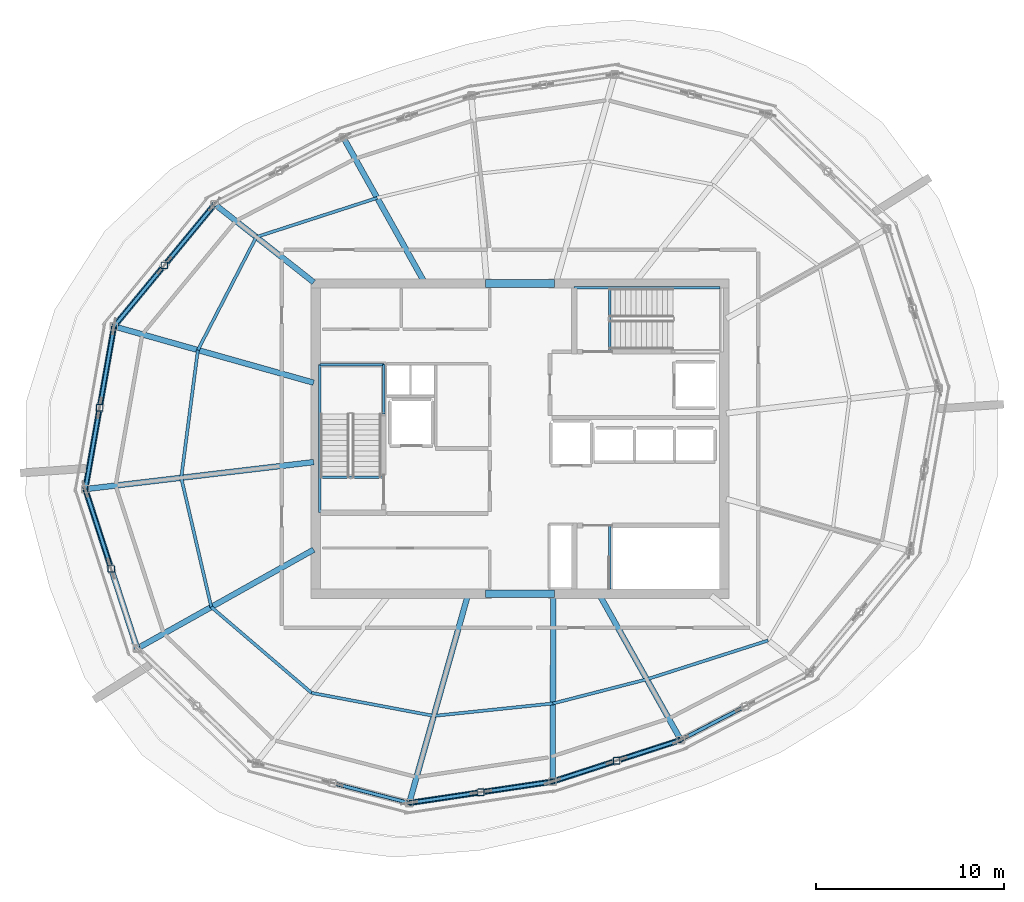
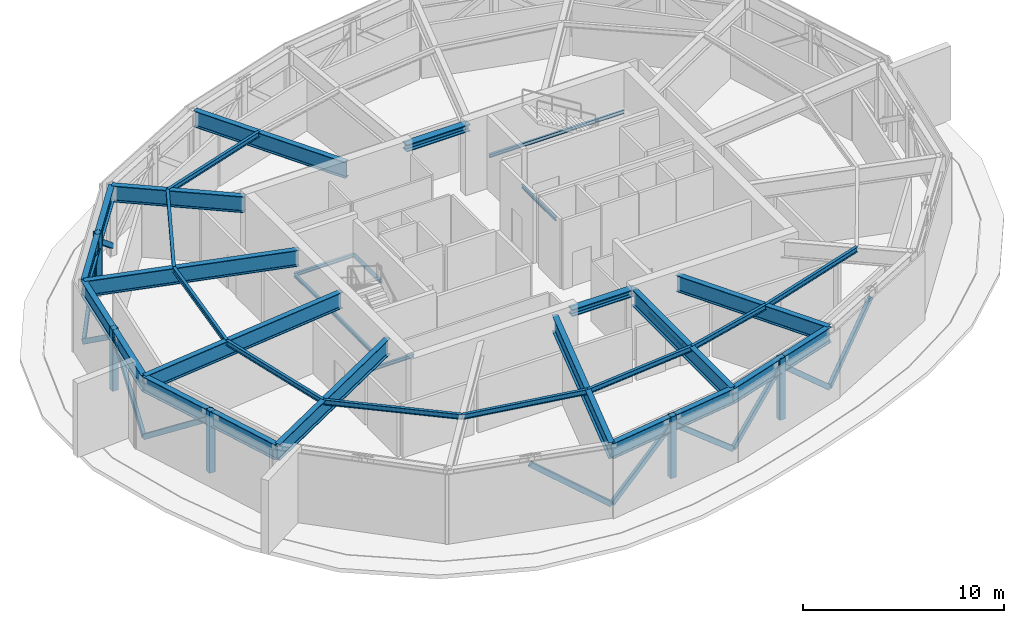
# One storey, part 5 of 14: 31 beams, 16 members.
"""IFC4 building model written with IfcOpenShell, lengths in metres."""

from ifc_helpers import new_model, si_unit, direction, frame, origin, origin_2d, place, context, subcontext, project, spatial, hollow_rectangle, i_section, extrude, material, material_profile, profile_set, type_object, element, save


model = new_model("IFC4")

# Units and contexts
model_context = context("Model", 3, precision=1e-05, world=origin(), true_north=direction((0.0, 1.0)))
body_context = subcontext(model_context, "Body", "Model", "MODEL_VIEW")
ifc_project = project(units=[si_unit("LENGTHUNIT", "METRE"), si_unit("AREAUNIT", "SQUARE_METRE"), si_unit("VOLUMEUNIT", "CUBIC_METRE"), si_unit("PLANEANGLEUNIT", "RADIAN"), si_unit("MASSUNIT", "GRAM", prefix="KILO")], contexts=[model_context])

# Site, building, storey
site_placement = place(None, origin())
site = spatial("IfcSite", under=ifc_project, at=site_placement, CompositionType="ELEMENT")
building_placement = place(site_placement, origin())
building = spatial("IfcBuilding", under=site, at=building_placement, Name="Kazma Halo Residences", CompositionType="ELEMENT")
storey_placement = place(building_placement, frame((0.0, 0.0, 351.5)))
storey = spatial("IfcBuildingStorey", under=building, at=storey_placement, Name="L88", CompositionType="ELEMENT", Elevation=351.5)

# Beams
ifc_material = material(Name="Steel S355", Category="steel")
ifc_material_profile_1 = material_profile(ifc_material, i_section(OverallWidth=0.30908203125, OverallDepth=0.931884765625, WebThickness=0.02099609375, FlangeThickness=0.034423828125, FilletRadius=0.02392578125, at=origin_2d()), Name="W920x313")
ifc_profile_set_1 = profile_set([ifc_material_profile_1], Name="Steel S355")
beam_type_1 = type_object("IfcBeamType", Name="BM-BELT-W920A", PredefinedType="BEAM", material=ifc_profile_set_1)
beam_1_placement = place(storey_placement, frame((32.184814453125, 54.467529296875, 3.75390625), z_axis=(-0.636005014199, -0.77168492399, 0.0), x_axis=(0.77168492399, -0.636005014199, 0.0)))
element("IfcBeam", 1, at=beam_1_placement, inside=storey, type_object=beam_type_1, Name="L88 perimeter ring beam 06", PredefinedType="BEAM", context=body_context, shape_type="SweptSolid", body=[
    extrude(i_section(OverallWidth=0.30908203125, OverallDepth=0.931884765625, WebThickness=0.02099609375, FlangeThickness=0.034423828125, FilletRadius=0.02392578125, at=origin_2d()), origin(), (0.0, 0.0, 1.0), 8.41943359375),
])
beam_2_placement = place(storey_placement, frame((26.830078125, 47.970458984375, 3.75390625), z_axis=(-0.173642734291, -0.984808712811, 0.0), x_axis=(0.984808712811, -0.173642734291, 0.0)))
element("IfcBeam", 2, at=beam_2_placement, inside=storey, type_object=beam_type_1, Name="L88 perimeter ring beam 07", PredefinedType="BEAM", context=body_context, shape_type="SweptSolid", body=[
    extrude(i_section(OverallWidth=0.30908203125, OverallDepth=0.931884765625, WebThickness=0.02099609375, FlangeThickness=0.034423828125, FilletRadius=0.02392578125, at=origin_2d()), origin(), (0.0, 0.0, 1.0), 8.790283203125),
])
beam_3_placement = place(storey_placement, frame((25.3037109375, 39.313720703125, 3.75390625), z_axis=(0.309015498459, -0.951057002346, 0.0), x_axis=(0.951057002346, 0.309015498459, 0.0)))
element("IfcBeam", 3, at=beam_3_placement, inside=storey, type_object=beam_type_1, Name="L88 perimeter ring beam 08", PredefinedType="BEAM", context=body_context, shape_type="SweptSolid", body=[
    extrude(i_section(OverallWidth=0.30908203125, OverallDepth=0.931884765625, WebThickness=0.02099609375, FlangeThickness=0.034423828125, FilletRadius=0.02392578125, at=origin_2d()), origin(), (0.0, 0.0, 1.0), 8.91748046875),
])
beam_4_placement = place(storey_placement, frame((42.53369140625, 22.61767578125, 3.75390625), z_axis=(0.989034152337, 0.147686984904, 0.0), x_axis=(-0.147686984904, 0.989034152337, 0.0)))
element("IfcBeam", 4, at=beam_4_placement, inside=storey, type_object=beam_type_1, Name="L88 perimeter ring beam 11", PredefinedType="BEAM", context=body_context, shape_type="SweptSolid", body=[
    extrude(i_section(OverallWidth=0.30908203125, OverallDepth=0.931884765625, WebThickness=0.02099609375, FlangeThickness=0.034423828125, FilletRadius=0.02392578125, at=origin_2d()), origin(), (0.0, 0.0, 1.0), 7.7099609375),
])
beam_5_placement = place(storey_placement, frame((50.1591796875, 23.75634765625, 3.75390625), z_axis=(0.951067102, 0.308984413026, 0.0), x_axis=(-0.308984413026, 0.951067102, 0.0)))
element("IfcBeam", 5, at=beam_5_placement, inside=storey, type_object=beam_type_1, Name="L88 perimeter ring beam 12", PredefinedType="BEAM", context=body_context, shape_type="SweptSolid", body=[
    extrude(i_section(OverallWidth=0.30908203125, OverallDepth=0.931884765625, WebThickness=0.02099609375, FlangeThickness=0.034423828125, FilletRadius=0.02392578125, at=origin_2d()), origin(), (0.0, 0.0, 1.0), 7.168212890625),
])
ifc_material_profile_2 = material_profile(ifc_material, i_section(OverallWidth=0.408935546875, OverallDepth=0.425048828125, WebThickness=0.03271484375, FlangeThickness=0.052490234375, FilletRadius=0.02001953125, at=origin_2d()), Name="W360x421")
ifc_profile_set_2 = profile_set([ifc_material_profile_2], Name="Steel S355")
beam_type_2 = type_object("IfcBeamType", Name="BM-CORE-W360H", PredefinedType="BEAM", material=ifc_profile_set_2)
for number, where, z_axis, x_axis, name in (
    (6, (46.60009765625, 33.75, 4.007568359375), (1.0, 0.0, 0.0), (0.0, 1.0, 0.0), "L88 core coupling beam S"),
    (7, (46.60009765625, 50.25, 4.007568359375), (1.0, 0.0, 0.0), (0.0, 1.0, 0.0), "L88 core coupling beam N"),
):
    element("IfcBeam", number, at=place(storey_placement, frame(where, z_axis=z_axis, x_axis=x_axis)), inside=storey, type_object=beam_type_2, Name=name, PredefinedType="BEAM", context=body_context, shape_type="SweptSolid", body=[
        extrude(i_section(OverallWidth=0.408935546875, OverallDepth=0.425048828125, WebThickness=0.03271484375, FlangeThickness=0.052490234375, FilletRadius=0.02001953125, at=origin_2d()), origin(), (0.0, 0.0, 1.0), 3.64990234375),
    ])
ifc_material_profile_3 = material_profile(ifc_material, i_section(OverallWidth=0.300048828125, OverallDepth=0.98193359375, WebThickness=0.0166015625, FlangeThickness=0.032958984375, FilletRadius=0.02587890625, at=origin_2d()), Name="W1000x296")
ifc_profile_set_3 = profile_set([ifc_material_profile_3], Name="Steel S355")
beam_type_3 = type_object("IfcBeamType", Name="BM-OUTR-W1000C", PredefinedType="BEAM", material=ifc_profile_set_3)
beam_6_placement = place(storey_placement, frame((43.32373046875, 50.35009765625, 3.72900390625), z_axis=(-0.488621952621, 0.872495608824, 0.0), x_axis=(-0.872495608824, -0.488621952621, 0.0)))
element("IfcBeam", 8, at=beam_6_placement, inside=storey, type_object=beam_type_3, Name="L88 radial floor beam 05", PredefinedType="BEAM", context=body_context, shape_type="SweptSolid", body=[
    extrude(i_section(OverallWidth=0.300048828125, OverallDepth=0.98193359375, WebThickness=0.0166015625, FlangeThickness=0.032958984375, FilletRadius=0.02587890625, at=origin_2d()), origin(), (0.0, 0.0, 1.0), 8.80078125),
])
beam_7_placement = place(storey_placement, frame((37.449951171875, 50.31689453125, 3.72900390625), z_axis=(-0.785321596803, 0.619088030569, 0.0), x_axis=(-0.619088030569, -0.785321596803, 0.0)))
element("IfcBeam", 9, at=beam_7_placement, inside=storey, type_object=beam_type_3, Name="L88 radial floor beam 06", PredefinedType="BEAM", context=body_context, shape_type="SweptSolid", body=[
    extrude(i_section(OverallWidth=0.300048828125, OverallDepth=0.98193359375, WebThickness=0.0166015625, FlangeThickness=0.032958984375, FilletRadius=0.02587890625, at=origin_2d()), origin(), (0.0, 0.0, 1.0), 6.704345703125),
])
beam_8_placement = place(storey_placement, frame((37.449951171875, 44.975341796875, 3.72900390625), z_axis=(-0.962455160106, 0.271440720572, 0.0), x_axis=(-0.271440720572, -0.962455160106, 0.0)))
element("IfcBeam", 10, at=beam_8_placement, inside=storey, type_object=beam_type_3, Name="L88 radial floor beam 07", PredefinedType="BEAM", context=body_context, shape_type="SweptSolid", body=[
    extrude(i_section(OverallWidth=0.300048828125, OverallDepth=0.98193359375, WebThickness=0.0166015625, FlangeThickness=0.032958984375, FilletRadius=0.02587890625, at=origin_2d()), origin(), (0.0, 0.0, 1.0), 11.0341796875),
])
beam_9_placement = place(storey_placement, frame((37.449951171875, 40.751220703125, 3.72900390625), z_axis=(-0.993069432883, -0.117529151591, 0.0), x_axis=(0.117529151591, -0.993069432883, 0.0)))
element("IfcBeam", 11, at=beam_9_placement, inside=storey, type_object=beam_type_3, Name="L88 radial floor beam 08", PredefinedType="BEAM", context=body_context, shape_type="SweptSolid", body=[
    extrude(i_section(OverallWidth=0.300048828125, OverallDepth=0.98193359375, WebThickness=0.0166015625, FlangeThickness=0.032958984375, FilletRadius=0.02587890625, at=origin_2d()), origin(), (0.0, 0.0, 1.0), 12.23095703125),
])
beam_10_placement = place(storey_placement, frame((37.449951171875, 36.091796875, 3.72900390625), z_axis=(-0.872494798344, -0.488623399832, 0.0), x_axis=(0.488623399832, -0.872494798344, 0.0)))
element("IfcBeam", 12, at=beam_10_placement, inside=storey, type_object=beam_type_3, Name="L88 radial floor beam 09", PredefinedType="BEAM", context=body_context, shape_type="SweptSolid", body=[
    extrude(i_section(OverallWidth=0.300048828125, OverallDepth=0.98193359375, WebThickness=0.0166015625, FlangeThickness=0.032958984375, FilletRadius=0.02587890625, at=origin_2d()), origin(), (0.0, 0.0, 1.0), 10.762939453125),
])
beam_11_placement = place(storey_placement, frame((45.64501953125, 33.64990234375, 3.72900390625), z_axis=(-0.271433859027, -0.962457095238, 0.0), x_axis=(0.962457095238, -0.271433859027, 0.0)))
element("IfcBeam", 13, at=beam_11_placement, inside=storey, type_object=beam_type_3, Name="L88 radial floor beam 11", PredefinedType="BEAM", context=body_context, shape_type="SweptSolid", body=[
    extrude(i_section(OverallWidth=0.300048828125, OverallDepth=0.98193359375, WebThickness=0.0166015625, FlangeThickness=0.032958984375, FilletRadius=0.02587890625, at=origin_2d()), origin(), (0.0, 0.0, 1.0), 11.462646484375),
])
beam_12_placement = place(storey_placement, frame((50.199951171875, 33.64990234375, 3.72900390625), z_axis=(-0.004120979715, -0.999991508727, 0.0), x_axis=(0.999991508727, -0.004120979715, 0.0)))
element("IfcBeam", 14, at=beam_12_placement, inside=storey, type_object=beam_type_3, Name="L88 radial floor beam 12", PredefinedType="BEAM", context=body_context, shape_type="SweptSolid", body=[
    extrude(i_section(OverallWidth=0.300048828125, OverallDepth=0.98193359375, WebThickness=0.0166015625, FlangeThickness=0.032958984375, FilletRadius=0.02587890625, at=origin_2d()), origin(), (0.0, 0.0, 1.0), 9.8935546875),
])
beam_13_placement = place(storey_placement, frame((52.67626953125, 33.64990234375, 3.72900390625), z_axis=(0.488621952621, -0.872495608824, 0.0), x_axis=(0.872495608824, 0.488621952621, 0.0)))
element("IfcBeam", 15, at=beam_13_placement, inside=storey, type_object=beam_type_3, Name="L88 radial floor beam 13", PredefinedType="BEAM", context=body_context, shape_type="SweptSolid", body=[
    extrude(i_section(OverallWidth=0.300048828125, OverallDepth=0.98193359375, WebThickness=0.0166015625, FlangeThickness=0.032958984375, FilletRadius=0.02587890625, at=origin_2d()), origin(), (0.0, 0.0, 1.0), 8.80078125),
])
ifc_material_profile_4 = material_profile(ifc_material, i_section(OverallWidth=0.1650390625, OverallDepth=0.31005859375, WebThickness=0.005859375, FlangeThickness=0.009765625, FilletRadius=0.011962890625, at=origin_2d()), Name="W310x38.7")
ifc_profile_set_4 = profile_set([ifc_material_profile_4], Name="Steel S355")
beam_type_4 = type_object("IfcBeamType", Name="BM-SEC-W310B", PredefinedType="JOIST", material=ifc_profile_set_4)
beam_14_placement = place(storey_placement, frame((40.82958984375, 54.8037109375, 4.06494140625), z_axis=(-0.951532506418, -0.307548190094, 0.0), x_axis=(0.307548190094, -0.951532506418, 0.0)))
element("IfcBeam", 16, at=beam_14_placement, inside=storey, type_object=beam_type_4, Name="L88 circumferential floor joist 05", PredefinedType="JOIST", context=body_context, shape_type="SweptSolid", body=[
    extrude(i_section(OverallWidth=0.1650390625, OverallDepth=0.31005859375, WebThickness=0.005859375, FlangeThickness=0.009765625, FilletRadius=0.011962890625, at=origin_2d()), origin(), (0.0, 0.0, 1.0), 6.760986328125),
])
beam_15_placement = place(storey_placement, frame((34.396240234375, 52.724365234375, 4.06494140625), z_axis=(-0.458980181698, -0.888446505316, 0.0), x_axis=(0.888446505316, -0.458980181698, 0.0)))
element("IfcBeam", 17, at=beam_15_placement, inside=storey, type_object=beam_type_4, Name="L88 circumferential floor joist 06", PredefinedType="JOIST", context=body_context, shape_type="SweptSolid", body=[
    extrude(i_section(OverallWidth=0.1650390625, OverallDepth=0.31005859375, WebThickness=0.005859375, FlangeThickness=0.009765625, FilletRadius=0.011962890625, at=origin_2d()), origin(), (0.0, 0.0, 1.0), 6.7666015625),
])
beam_16_placement = place(storey_placement, frame((31.29052734375, 46.712646484375, 4.06494140625), z_axis=(-0.129220381174, -0.991615899978, 0.0), x_axis=(0.991615899978, -0.129220381174, 0.0)))
element("IfcBeam", 18, at=beam_16_placement, inside=storey, type_object=beam_type_4, Name="L88 circumferential floor joist 07", PredefinedType="JOIST", context=body_context, shape_type="SweptSolid", body=[
    extrude(i_section(OverallWidth=0.1650390625, OverallDepth=0.31005859375, WebThickness=0.005859375, FlangeThickness=0.009765625, FilletRadius=0.011962890625, at=origin_2d()), origin(), (0.0, 0.0, 1.0), 6.8525390625),
])
beam_17_placement = place(storey_placement, frame((30.405029296875, 39.91748046875, 4.06494140625), z_axis=(0.22642269465, -0.97402913886, 0.0), x_axis=(0.97402913886, 0.22642269465, 0.0)))
element("IfcBeam", 19, at=beam_17_placement, inside=storey, type_object=beam_type_4, Name="L88 circumferential floor joist 08", PredefinedType="JOIST", context=body_context, shape_type="SweptSolid", body=[
    extrude(i_section(OverallWidth=0.1650390625, OverallDepth=0.31005859375, WebThickness=0.005859375, FlangeThickness=0.009765625, FilletRadius=0.011962890625, at=origin_2d()), origin(), (0.0, 0.0, 1.0), 7.059326171875),
])
beam_18_placement = place(storey_placement, frame((32.00341796875, 33.04150390625, 4.06494140625), z_axis=(0.759582919789, -0.650410476518, 0.0), x_axis=(0.650410476518, 0.759582919789, 0.0)))
element("IfcBeam", 20, at=beam_18_placement, inside=storey, type_object=beam_type_4, Name="L88 circumferential floor joist 09", PredefinedType="JOIST", context=body_context, shape_type="SweptSolid", body=[
    extrude(i_section(OverallWidth=0.1650390625, OverallDepth=0.31005859375, WebThickness=0.005859375, FlangeThickness=0.009765625, FilletRadius=0.011962890625, at=origin_2d()), origin(), (0.0, 0.0, 1.0), 7.02197265625),
])
beam_19_placement = place(storey_placement, frame((37.337158203125, 28.474365234375, 4.06494140625), z_axis=(0.982768028721, -0.184843181435, 0.0), x_axis=(0.184843181435, 0.982768028721, 0.0)))
element("IfcBeam", 21, at=beam_19_placement, inside=storey, type_object=beam_type_4, Name="L88 circumferential floor joist 10", PredefinedType="JOIST", context=body_context, shape_type="SweptSolid", body=[
    extrude(i_section(OverallWidth=0.1650390625, OverallDepth=0.31005859375, WebThickness=0.005859375, FlangeThickness=0.009765625, FilletRadius=0.011962890625, at=origin_2d()), origin(), (0.0, 0.0, 1.0), 6.6171875),
])
beam_20_placement = place(storey_placement, frame((43.84033203125, 27.251220703125, 4.06494140625), z_axis=(0.994612236518, 0.10366532192, 0.0), x_axis=(-0.10366532192, 0.994612236518, 0.0)))
element("IfcBeam", 22, at=beam_20_placement, inside=storey, type_object=beam_type_4, Name="L88 circumferential floor joist 11", PredefinedType="JOIST", context=body_context, shape_type="SweptSolid", body=[
    extrude(i_section(OverallWidth=0.1650390625, OverallDepth=0.31005859375, WebThickness=0.005859375, FlangeThickness=0.009765625, FilletRadius=0.011962890625, at=origin_2d()), origin(), (0.0, 0.0, 1.0), 6.37060546875),
])
beam_21_placement = place(storey_placement, frame((50.176513671875, 27.91162109375, 4.06494140625), z_axis=(0.96846845721, 0.249136202485, 0.0), x_axis=(-0.249136202485, 0.96846845721, 0.0)))
element("IfcBeam", 23, at=beam_21_placement, inside=storey, type_object=beam_type_4, Name="L88 circumferential floor joist 12", PredefinedType="JOIST", context=body_context, shape_type="SweptSolid", body=[
    extrude(i_section(OverallWidth=0.1650390625, OverallDepth=0.31005859375, WebThickness=0.005859375, FlangeThickness=0.009765625, FilletRadius=0.011962890625, at=origin_2d()), origin(), (0.0, 0.0, 1.0), 5.156494140625),
])
beam_22_placement = place(storey_placement, frame((55.17041015625, 29.1962890625, 4.06494140625), z_axis=(0.952375588957, 0.304927429988, 0.0), x_axis=(-0.304927429988, 0.952375588957, 0.0)))
element("IfcBeam", 24, at=beam_22_placement, inside=storey, type_object=beam_type_4, Name="L88 circumferential floor joist 13", PredefinedType="JOIST", context=body_context, shape_type="SweptSolid", body=[
    extrude(i_section(OverallWidth=0.1650390625, OverallDepth=0.31005859375, WebThickness=0.005859375, FlangeThickness=0.009765625, FilletRadius=0.011962890625, at=origin_2d()), origin(), (0.0, 0.0, 1.0), 6.7734375),
])
ifc_material_profile_5 = material_profile(ifc_material, i_section(OverallWidth=0.133056640625, OverallDepth=0.20703125, WebThickness=0.005859375, FlangeThickness=0.00830078125, FilletRadius=0.010009765625, at=origin_2d()), Name="W200x26.6")
ifc_profile_set_5 = profile_set([ifc_material_profile_5], Name="Steel S355")
beam_type_5 = type_object("IfcBeamType", Name="BM-TRIM-W200", PredefinedType="BEAM", material=ifc_profile_set_5)
for number, where, z_axis, x_axis, name in (
    (25, (37.800048828125, 39.949951171875, -0.510009765625), (1.0, 0.0, 0.0), (0.0, 1.0, 0.0), "L88 ST-01 floor landing support beam"),
    (26, (53.199951171875, 46.6201171875, -0.510009765625), (0.0, 1.0, 0.0), (-1.0, 0.0, 0.0), "L88 ST-02 floor landing support beam"),
    (27, (53.199951171875, 34.0, -0.510009765625), (0.0, 1.0, 0.0), (-1.0, 0.0, 0.0), "L88 ST-03 floor landing support beam"),
):
    element("IfcBeam", number, at=place(storey_placement, frame(where, z_axis=z_axis, x_axis=x_axis)), inside=storey, type_object=beam_type_5, Name=name, PredefinedType="BEAM", context=body_context, shape_type="SweptSolid", body=[
        extrude(i_section(OverallWidth=0.133056640625, OverallDepth=0.20703125, WebThickness=0.005859375, FlangeThickness=0.00830078125, FilletRadius=0.010009765625, at=origin_2d()), origin(), (0.0, 0.0, 1.0), 3.3798828125),
    ])
beam_23_placement = place(storey_placement, frame((37.780029296875, 38.06005859375, 1.945068359375), z_axis=(0.0, 1.0, 0.0), x_axis=(-1.0, 0.0, 0.0)))
element("IfcBeam", 28, at=beam_23_placement, inside=storey, type_object=beam_type_5, Name="L88 ST-01 landing west wall ledger", PredefinedType="BEAM", context=body_context, shape_type="SweptSolid", body=[
    extrude(i_section(OverallWidth=0.133056640625, OverallDepth=0.20703125, WebThickness=0.005859375, FlangeThickness=0.00830078125, FilletRadius=0.010009765625, at=origin_2d()), origin(), (0.0, 0.0, 1.0), 7.8798828125),
])
beam_24_placement = place(storey_placement, frame((41.179931640625, 43.31005859375, 1.945068359375), z_axis=(0.0, 1.0, 0.0), x_axis=(-1.0, 0.0, 0.0)))
element("IfcBeam", 29, at=beam_24_placement, inside=storey, type_object=beam_type_5, Name="L88 ST-01 landing east wall ledger", PredefinedType="BEAM", context=body_context, shape_type="SweptSolid", body=[
    extrude(i_section(OverallWidth=0.133056640625, OverallDepth=0.20703125, WebThickness=0.005859375, FlangeThickness=0.00830078125, FilletRadius=0.010009765625, at=origin_2d()), origin(), (0.0, 0.0, 1.0), 2.6298828125),
])
beam_25_placement = place(storey_placement, frame((37.780029296875, 45.93994140625, 1.945068359375), z_axis=(1.0, 0.0, 0.0), x_axis=(0.0, 1.0, 0.0)))
element("IfcBeam", 30, at=beam_25_placement, inside=storey, type_object=beam_type_5, Name="L88 ST-01 landing end wall ledger", PredefinedType="BEAM", context=body_context, shape_type="SweptSolid", body=[
    extrude(i_section(OverallWidth=0.133056640625, OverallDepth=0.20703125, WebThickness=0.005859375, FlangeThickness=0.00830078125, FilletRadius=0.010009765625, at=origin_2d()), origin(), (0.0, 0.0, 1.0), 3.39990234375),
])
beam_26_placement = place(storey_placement, frame((51.31005859375, 50.02001953125, 1.945068359375), z_axis=(1.0, 0.0, 0.0), x_axis=(0.0, 1.0, 0.0)))
element("IfcBeam", 31, at=beam_26_placement, inside=storey, type_object=beam_type_5, Name="L88 ST-02 landing north wall ledger", PredefinedType="BEAM", context=body_context, shape_type="SweptSolid", body=[
    extrude(i_section(OverallWidth=0.133056640625, OverallDepth=0.20703125, WebThickness=0.005859375, FlangeThickness=0.00830078125, FilletRadius=0.010009765625, at=origin_2d()), origin(), (0.0, 0.0, 1.0), 7.760009765625),
])

# Members
ifc_material_profile_6 = material_profile(ifc_material, hollow_rectangle(XDim=0.199951171875, YDim=0.300048828125, WallThickness=0.012451171875, InnerFilletRadius=0.012451171875, OuterFilletRadius=0.02490234375, at=origin_2d()), Name="RHS300x200x12.5")
ifc_profile_set_6 = profile_set([ifc_material_profile_6], Name="Steel S355")
member_type_1 = type_object("IfcMemberType", Name="MBR-BELT-RHS300", PredefinedType="BRACE", material=ifc_profile_set_6)
member_1_placement = place(storey_placement, frame((32.184814453125, 54.467529296875, 0.47998046875), z_axis=(-0.505151215091, -0.612943832573, 0.607554201699), x_axis=(0.771699155965, -0.635987745702, 0.0)))
element("IfcMember", 32, at=member_1_placement, inside=storey, type_object=member_type_1, Name="L88 belt-truss chevron diagonal 06A", PredefinedType="BRACE", context=body_context, shape_type="SweptSolid", body=[
    extrude(hollow_rectangle(XDim=0.199951171875, YDim=0.300048828125, WallThickness=0.012451171875, InnerFilletRadius=0.012451171875, OuterFilletRadius=0.02490234375, at=origin_2d()), origin(), (0.0, 0.0, 1.0), 5.2998046875),
])
member_2_placement = place(storey_placement, frame((26.830078125, 47.970458984375, 0.47998046875), z_axis=(0.505185524295, 0.612929569278, 0.607540063821), x_axis=(-0.771670692154, 0.636022281741, 0.0)))
element("IfcMember", 33, at=member_2_placement, inside=storey, type_object=member_type_1, Name="L88 belt-truss chevron diagonal 06B", PredefinedType="BRACE", context=body_context, shape_type="SweptSolid", body=[
    extrude(hollow_rectangle(XDim=0.199951171875, YDim=0.300048828125, WallThickness=0.012451171875, InnerFilletRadius=0.012451171875, OuterFilletRadius=0.02490234375, at=origin_2d()), origin(), (0.0, 0.0, 1.0), 5.300048828125),
])
for number, where, z_axis, x_axis, name in (
    (34, (26.830078125, 47.970458984375, 0.47998046875), (-0.140073919434, -0.794424349855, 0.590990058674), (0.984808712811, -0.173642734291, 0.0), "L88 belt-truss chevron diagonal 07A"),
    (35, (25.3037109375, 39.313720703125, 0.47998046875), (0.140073919434, 0.794424349855, 0.590990058674), (-0.984808712811, 0.173642734291, 0.0), "L88 belt-truss chevron diagonal 07B"),
):
    element("IfcMember", number, at=place(storey_placement, frame(where, z_axis=z_axis, x_axis=x_axis)), inside=storey, type_object=member_type_1, Name=name, PredefinedType="BRACE", context=body_context, shape_type="SweptSolid", body=[
        extrude(hollow_rectangle(XDim=0.199951171875, YDim=0.300048828125, WallThickness=0.012451171875, InnerFilletRadius=0.012451171875, OuterFilletRadius=0.02490234375, at=origin_2d()), origin(), (0.0, 0.0, 1.0), 5.448486328125),
    ])
member_3_placement = place(storey_placement, frame((25.3037109375, 39.313720703125, 0.47998046875), z_axis=(0.250497030844, -0.771023024761, 0.58546966858), x_axis=(0.95106504825, 0.308990734485, 0.0)))
element("IfcMember", 36, at=member_3_placement, inside=storey, type_object=member_type_1, Name="L88 belt-truss chevron diagonal 08A", PredefinedType="BRACE", context=body_context, shape_type="SweptSolid", body=[
    extrude(hollow_rectangle(XDim=0.199951171875, YDim=0.300048828125, WallThickness=0.012451171875, InnerFilletRadius=0.012451171875, OuterFilletRadius=0.02490234375, at=origin_2d()), origin(), (0.0, 0.0, 1.0), 5.499755859375),
])
member_4_placement = place(storey_placement, frame((42.53369140625, 22.61767578125, 0.47998046875), z_axis=(-0.76897967335, 0.198947119276, 0.607528028741), x_axis=(-0.250469042007, -0.96812460923, 0.0)))
element("IfcMember", 37, at=member_4_placement, inside=storey, type_object=member_type_1, Name="L88 belt-truss chevron diagonal 10B", PredefinedType="BRACE", context=body_context, shape_type="SweptSolid", body=[
    extrude(hollow_rectangle(XDim=0.199951171875, YDim=0.300048828125, WallThickness=0.012451171875, InnerFilletRadius=0.012451171875, OuterFilletRadius=0.02490234375, at=origin_2d()), origin(), (0.0, 0.0, 1.0), 5.300048828125),
])
for number, where, z_axis, x_axis, name in (
    (38, (42.53369140625, 22.61767578125, 0.47998046875), (0.759074560525, 0.113348394387, 0.641060022973), (-0.147686984904, 0.989034152337, 0.0), "L88 belt-truss chevron diagonal 11A"),
    (39, (50.1591796875, 23.75634765625, 0.47998046875), (-0.759074560525, -0.113348394387, 0.641060022973), (0.147686984904, -0.989034152337, 0.0), "L88 belt-truss chevron diagonal 11B"),
):
    element("IfcMember", number, at=place(storey_placement, frame(where, z_axis=z_axis, x_axis=x_axis)), inside=storey, type_object=member_type_1, Name=name, PredefinedType="BRACE", context=body_context, shape_type="SweptSolid", body=[
        extrude(hollow_rectangle(XDim=0.199951171875, YDim=0.300048828125, WallThickness=0.012451171875, InnerFilletRadius=0.012451171875, OuterFilletRadius=0.02490234375, at=origin_2d()), origin(), (0.0, 0.0, 1.0), 5.02294921875),
    ])
for number, where, z_axis, x_axis, name in (
    (40, (50.1591796875, 23.75634765625, 0.47998046875), (0.707481082682, 0.229847743235, 0.668311703158), (-0.308984413026, 0.951067102, 0.0), "L88 belt-truss chevron diagonal 12A"),
    (41, (56.9765625, 25.97119140625, 0.47998046875), (-0.707481082682, -0.229847743235, 0.668311703158), (0.308984413026, -0.951067102, 0.0), "L88 belt-truss chevron diagonal 12B"),
):
    element("IfcMember", number, at=place(storey_placement, frame(where, z_axis=z_axis, x_axis=x_axis)), inside=storey, type_object=member_type_1, Name=name, PredefinedType="BRACE", context=body_context, shape_type="SweptSolid", body=[
        extrude(hollow_rectangle(XDim=0.199951171875, YDim=0.300048828125, WallThickness=0.012451171875, InnerFilletRadius=0.012451171875, OuterFilletRadius=0.02490234375, at=origin_2d()), origin(), (0.0, 0.0, 1.0), 4.818115234375),
    ])
member_5_placement = place(storey_placement, frame((56.9765625, 25.97119140625, 0.47998046875), z_axis=(0.680723075345, 0.354481498643, 0.641060809762), x_axis=(-0.461871108539, 0.886947055408, 0.0)))
element("IfcMember", 42, at=member_5_placement, inside=storey, type_object=member_type_1, Name="L88 belt-truss chevron diagonal 13A", PredefinedType="BRACE", context=body_context, shape_type="SweptSolid", body=[
    extrude(hollow_rectangle(XDim=0.199951171875, YDim=0.300048828125, WallThickness=0.012451171875, InnerFilletRadius=0.012451171875, OuterFilletRadius=0.02490234375, at=origin_2d()), origin(), (0.0, 0.0, 1.0), 5.02294921875),
])
ifc_material_profile_7 = material_profile(ifc_material, hollow_rectangle(XDim=0.35009765625, YDim=0.35009765625, WallThickness=0.01611328125, InnerFilletRadius=0.01611328125, OuterFilletRadius=0.031982421875, at=origin_2d()), Name="SHS350x350x16")
ifc_profile_set_7 = profile_set([ifc_material_profile_7], Name="Steel S355")
member_type_2 = type_object("IfcMemberType", Name="MBR-POST-SHS350", PredefinedType="STRUT", material=ifc_profile_set_7)
for number, where, z_axis, x_axis, name in (
    (43, (29.507568359375, 51.218994140625, 0.47998046875), (0.0, 0.0, 1.0), (1.0, 0.0, 0.0), "L88 belt-truss web post 06"),
    (44, (26.06689453125, 43.64208984375, 0.47998046875), (0.0, 0.0, 1.0), (1.0, 0.0, 0.0), "L88 belt-truss web post 07"),
    (45, (26.681396484375, 35.0732421875, 0.47998046875), (0.0, 0.0, 1.0), (1.0, 0.0, 0.0), "L88 belt-truss web post 08"),
    (46, (46.346435546875, 23.18701171875, 0.47998046875), (0.0, 0.0, 1.0), (1.0, 0.0, 0.0), "L88 belt-truss web post 11"),
    (47, (53.56787109375, 24.86376953125, 0.47998046875), (0.0, 0.0, 1.0), (1.0, 0.0, 0.0), "L88 belt-truss web post 12"),
):
    element("IfcMember", number, at=place(storey_placement, frame(where, z_axis=z_axis, x_axis=x_axis)), inside=storey, type_object=member_type_2, Name=name, PredefinedType="STRUT", context=body_context, shape_type="SweptSolid", body=[
        extrude(hollow_rectangle(XDim=0.35009765625, YDim=0.35009765625, WallThickness=0.01611328125, InnerFilletRadius=0.01611328125, OuterFilletRadius=0.031982421875, at=origin_2d()), origin(), (0.0, 0.0, 1.0), 3.739990234375),
    ])

save(model, "model.ifc")
